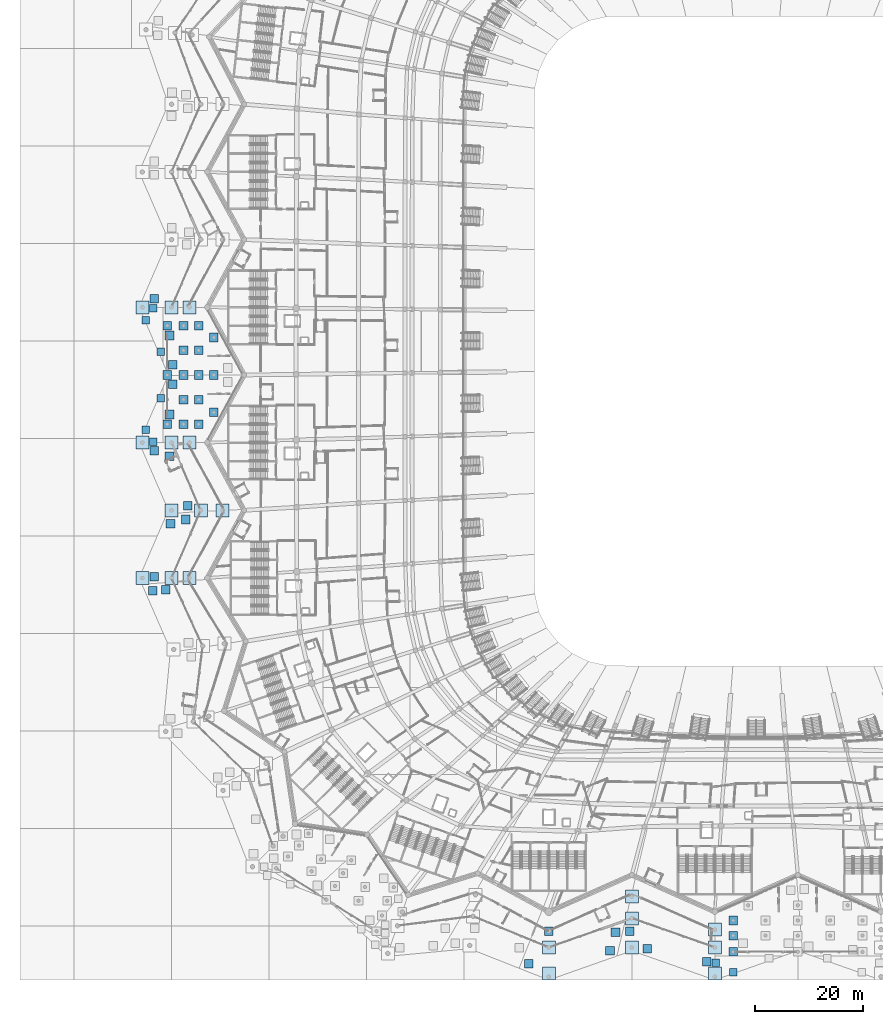
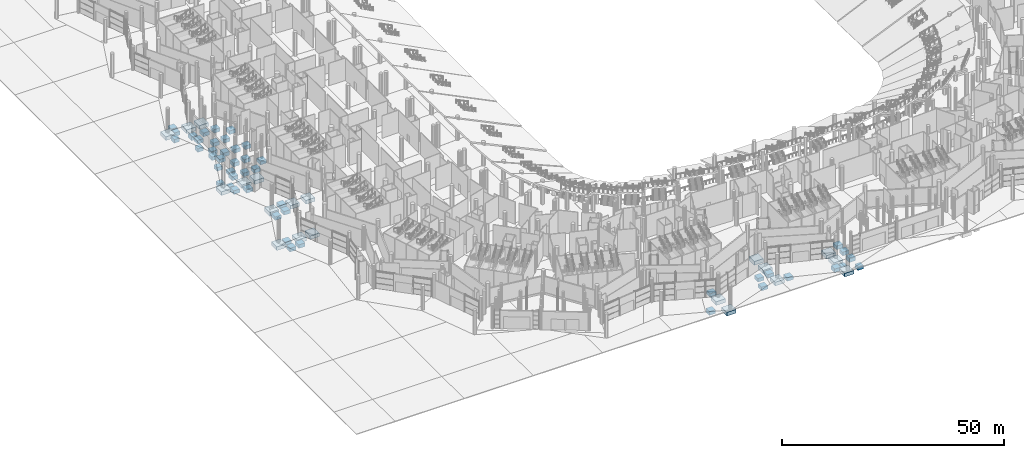
# One storey, part 2 of 255: 67 footings.
"""IFC4 building model written with IfcOpenShell, lengths in metres."""

from ifc_helpers import new_model, si_unit, direction, frame, origin, place, context, subcontext, project, spatial, polyline, outline, extrude, material, type_object, element, save


model = new_model("IFC4")

# Units and contexts
model_context = context("Model", 3, precision=1e-05, world=origin(), true_north=direction((0.0, 1.0)))
body_context = subcontext(model_context, "Body", "Model", "MODEL_VIEW")
ifc_project = project(units=[si_unit("LENGTHUNIT", "METRE"), si_unit("AREAUNIT", "SQUARE_METRE"), si_unit("VOLUMEUNIT", "CUBIC_METRE"), si_unit("PLANEANGLEUNIT", "RADIAN"), si_unit("MASSUNIT", "GRAM", prefix="KILO")], contexts=[model_context])

# Site, building, storey
site_placement = place(None, origin())
site = spatial("IfcSite", under=ifc_project, at=site_placement, CompositionType="ELEMENT")
building_placement = place(site_placement, origin())
building = spatial("IfcBuilding", under=site, at=building_placement, Name="Meseta Stadium", CompositionType="ELEMENT")
storey_placement = place(building_placement, origin())
storey = spatial("IfcBuildingStorey", under=building, at=storey_placement, Name="L00", CompositionType="ELEMENT", Elevation=0.0)

# Footings
ifc_material_1 = material(Name="Concrete C30/37", Category="concrete")
footing_type_1 = type_object("IfcFootingType", Name="Gate pad footing 1400", PredefinedType="PAD_FOOTING", material=ifc_material_1)
footing_1_placement = place(storey_placement, frame((0.0, 0.0, -1.300048828125)))
element("IfcFooting", 1, at=footing_1_placement, inside=storey, type_object=footing_type_1, Name="Paving pad footing", PredefinedType="PAD_FOOTING", context=body_context, shape_type="SweptSolid", body=[
    extrude(outline(polyline([(-109.300048828125, -11.25), (-109.300048828125, -9.85009765625), (-110.699951171875, -9.85009765625), (-110.699951171875, -11.25), (-109.300048828125, -11.25)])), origin(), (0.0, 0.0, 1.0), 1.0),
])
footing_2_placement = place(storey_placement, frame((0.0, 0.0, -1.300048828125)))
element("IfcFooting", 2, at=footing_2_placement, inside=storey, type_object=footing_type_1, Name="Paving pad footing", PredefinedType="PAD_FOOTING", context=body_context, shape_type="SweptSolid", body=[
    extrude(outline(polyline([(-110.699951171875, -19.25), (-110.699951171875, -17.85009765625), (-112.10009765625, -17.85009765625), (-112.10009765625, -19.25), (-110.699951171875, -19.25)])), origin(), (0.0, 0.0, 1.0), 1.0),
])
footing_3_placement = place(storey_placement, frame((0.0, 0.0, -1.300048828125)))
element("IfcFooting", 3, at=footing_3_placement, inside=storey, type_object=footing_type_1, Name="Paving pad footing", PredefinedType="PAD_FOOTING", context=body_context, shape_type="SweptSolid", body=[
    extrude(outline(polyline([(-112.10009765625, -17.050048828125), (-112.10009765625, -15.64990234375), (-113.5, -15.64990234375), (-113.5, -17.050048828125), (-112.10009765625, -17.050048828125)])), origin(), (0.0, 0.0, 1.0), 1.0),
])
footing_4_placement = place(storey_placement, frame((0.0, 0.0, -1.300048828125)))
element("IfcFooting", 4, at=footing_4_placement, inside=storey, type_object=footing_type_1, Name="Paving pad footing", PredefinedType="PAD_FOOTING", context=body_context, shape_type="SweptSolid", body=[
    extrude(outline(polyline([(-109.300048828125, -2.635009765625), (-109.300048828125, -1.235107421875), (-110.699951171875, -1.235107421875), (-110.699951171875, -2.635009765625), (-109.300048828125, -2.635009765625)])), origin(), (0.0, 0.0, 1.0), 1.0),
])
footing_5_placement = place(storey_placement, frame((0.0, 0.0, -1.300048828125)))
element("IfcFooting", 5, at=footing_5_placement, inside=storey, type_object=footing_type_1, Name="Paving pad footing", PredefinedType="PAD_FOOTING", context=body_context, shape_type="SweptSolid", body=[
    extrude(outline(polyline([(-110.699951171875, 5.364990234375), (-110.699951171875, 6.764892578125), (-112.10009765625, 6.764892578125), (-112.10009765625, 5.364990234375), (-110.699951171875, 5.364990234375)])), origin(), (0.0, 0.0, 1.0), 1.0),
])
footing_6_placement = place(storey_placement, frame((0.0, 0.0, -1.300048828125)))
element("IfcFooting", 6, at=footing_6_placement, inside=storey, type_object=footing_type_1, Name="Paving pad footing", PredefinedType="PAD_FOOTING", context=body_context, shape_type="SweptSolid", body=[
    extrude(outline(polyline([(-112.10009765625, 3.1650390625), (-112.10009765625, 4.56494140625), (-113.5, 4.56494140625), (-113.5, 3.1650390625), (-112.10009765625, 3.1650390625)])), origin(), (0.0, 0.0, 1.0), 1.0),
])
footing_7_placement = place(storey_placement, frame((0.0, 0.0, -1.300048828125)))
element("IfcFooting", 7, at=footing_7_placement, inside=storey, type_object=footing_type_1, Name="Paving pad footing", PredefinedType="PAD_FOOTING", context=body_context, shape_type="SweptSolid", body=[
    extrude(outline(polyline([(-6.76708984375, -115.5), (-6.76708984375, -114.10009765625), (-8.1669921875, -114.10009765625), (-8.1669921875, -115.5), (-6.76708984375, -115.5)])), origin(), (0.0, 0.0, 1.0), 1.0),
])
footing_8_placement = place(storey_placement, frame((0.0, 0.0, -1.300048828125)))
element("IfcFooting", 8, at=footing_8_placement, inside=storey, type_object=footing_type_1, Name="Paving pad footing", PredefinedType="PAD_FOOTING", context=body_context, shape_type="SweptSolid", body=[
    extrude(outline(polyline([(-3.56689453125, -117.300048828125), (-3.56689453125, -115.89990234375), (-4.967041015625, -115.89990234375), (-4.967041015625, -117.300048828125), (-3.56689453125, -117.300048828125)])), origin(), (0.0, 0.0, 1.0), 1.0),
])
ifc_material_2 = material(Name="Concrete C30/37", Category="concrete")
footing_type_2 = type_object("IfcFootingType", Name="Gate pad footing 1600", PredefinedType="PAD_FOOTING", material=ifc_material_2)
footing_9_placement = place(storey_placement, frame((0.0, 0.0, -1.300048828125)))
element("IfcFooting", 9, at=footing_9_placement, inside=storey, type_object=footing_type_2, Name="Gate 5 pad footing", PredefinedType="PAD_FOOTING", context=body_context, shape_type="SweptSolid", body=[
    extrude(outline(polyline([(-99.39990234375, -0.132568359375), (-99.39990234375, 1.46728515625), (-101.0, 1.46728515625), (-101.0, -0.132568359375), (-99.39990234375, -0.132568359375)])), origin(), (0.0, 0.0, 1.0), 1.0),
])
footing_10_placement = place(storey_placement, frame((0.0, 0.0, -1.300048828125)))
element("IfcFooting", 10, at=footing_10_placement, inside=storey, type_object=footing_type_2, Name="Gate 5 pad footing", PredefinedType="PAD_FOOTING", context=body_context, shape_type="SweptSolid", body=[
    extrude(outline(polyline([(-99.39990234375, -7.050048828125), (-99.39990234375, -5.449951171875), (-101.0, -5.449951171875), (-101.0, -7.050048828125), (-99.39990234375, -7.050048828125)])), origin(), (0.0, 0.0, 1.0), 1.0),
])
footing_11_placement = place(storey_placement, frame((0.0, 0.0, -1.300048828125)))
element("IfcFooting", 11, at=footing_11_placement, inside=storey, type_object=footing_type_2, Name="Gate 5 pad footing", PredefinedType="PAD_FOOTING", context=body_context, shape_type="SweptSolid", body=[
    extrude(outline(polyline([(-99.39990234375, -13.96728515625), (-99.39990234375, -12.367431640625), (-101.0, -12.367431640625), (-101.0, -13.96728515625), (-99.39990234375, -13.96728515625)])), origin(), (0.0, 0.0, 1.0), 1.0),
])
footing_12_placement = place(storey_placement, frame((0.0, 0.0, -1.300048828125)))
element("IfcFooting", 12, at=footing_12_placement, inside=storey, type_object=footing_type_2, Name="Gate 5 pad footing", PredefinedType="PAD_FOOTING", context=body_context, shape_type="SweptSolid", body=[
    extrude(outline(polyline([(-102.199951171875, 2.050048828125), (-102.199951171875, 3.64990234375), (-103.800048828125, 3.64990234375), (-103.800048828125, 2.050048828125), (-102.199951171875, 2.050048828125)])), origin(), (0.0, 0.0, 1.0), 1.0),
])
footing_13_placement = place(storey_placement, frame((0.0, 0.0, -1.300048828125)))
element("IfcFooting", 13, at=footing_13_placement, inside=storey, type_object=footing_type_2, Name="Gate 5 pad footing", PredefinedType="PAD_FOOTING", context=body_context, shape_type="SweptSolid", body=[
    extrude(outline(polyline([(-102.199951171875, -2.5), (-102.199951171875, -0.89990234375), (-103.800048828125, -0.89990234375), (-103.800048828125, -2.5), (-102.199951171875, -2.5)])), origin(), (0.0, 0.0, 1.0), 1.0),
])
footing_14_placement = place(storey_placement, frame((0.0, 0.0, -1.300048828125)))
element("IfcFooting", 14, at=footing_14_placement, inside=storey, type_object=footing_type_2, Name="Gate 5 pad footing", PredefinedType="PAD_FOOTING", context=body_context, shape_type="SweptSolid", body=[
    extrude(outline(polyline([(-102.199951171875, -7.050048828125), (-102.199951171875, -5.449951171875), (-103.800048828125, -5.449951171875), (-103.800048828125, -7.050048828125), (-102.199951171875, -7.050048828125)])), origin(), (0.0, 0.0, 1.0), 1.0),
])
footing_15_placement = place(storey_placement, frame((0.0, 0.0, -1.300048828125)))
element("IfcFooting", 15, at=footing_15_placement, inside=storey, type_object=footing_type_2, Name="Gate 5 pad footing", PredefinedType="PAD_FOOTING", context=body_context, shape_type="SweptSolid", body=[
    extrude(outline(polyline([(-102.199951171875, -11.60009765625), (-102.199951171875, -10.0), (-103.800048828125, -10.0), (-103.800048828125, -11.60009765625), (-102.199951171875, -11.60009765625)])), origin(), (0.0, 0.0, 1.0), 1.0),
])
footing_16_placement = place(storey_placement, frame((0.0, 0.0, -1.300048828125)))
element("IfcFooting", 16, at=footing_16_placement, inside=storey, type_object=footing_type_2, Name="Gate 5 pad footing", PredefinedType="PAD_FOOTING", context=body_context, shape_type="SweptSolid", body=[
    extrude(outline(polyline([(-102.199951171875, -16.14990234375), (-102.199951171875, -14.550048828125), (-103.800048828125, -14.550048828125), (-103.800048828125, -16.14990234375), (-102.199951171875, -16.14990234375)])), origin(), (0.0, 0.0, 1.0), 1.0),
])
footing_17_placement = place(storey_placement, frame((0.0, 0.0, -1.300048828125)))
element("IfcFooting", 17, at=footing_17_placement, inside=storey, type_object=footing_type_2, Name="Gate 5 pad footing", PredefinedType="PAD_FOOTING", context=body_context, shape_type="SweptSolid", body=[
    extrude(outline(polyline([(-105.0, 2.050048828125), (-105.0, 3.64990234375), (-106.60009765625, 3.64990234375), (-106.60009765625, 2.050048828125), (-105.0, 2.050048828125)])), origin(), (0.0, 0.0, 1.0), 1.0),
])
footing_18_placement = place(storey_placement, frame((0.0, 0.0, -1.300048828125)))
element("IfcFooting", 18, at=footing_18_placement, inside=storey, type_object=footing_type_2, Name="Gate 5 pad footing", PredefinedType="PAD_FOOTING", context=body_context, shape_type="SweptSolid", body=[
    extrude(outline(polyline([(-105.0, -2.5), (-105.0, -0.89990234375), (-106.60009765625, -0.89990234375), (-106.60009765625, -2.5), (-105.0, -2.5)])), origin(), (0.0, 0.0, 1.0), 1.0),
])
footing_19_placement = place(storey_placement, frame((0.0, 0.0, -1.300048828125)))
element("IfcFooting", 19, at=footing_19_placement, inside=storey, type_object=footing_type_2, Name="Gate 5 pad footing", PredefinedType="PAD_FOOTING", context=body_context, shape_type="SweptSolid", body=[
    extrude(outline(polyline([(-105.0, -7.050048828125), (-105.0, -5.449951171875), (-106.60009765625, -5.449951171875), (-106.60009765625, -7.050048828125), (-105.0, -7.050048828125)])), origin(), (0.0, 0.0, 1.0), 1.0),
])
footing_20_placement = place(storey_placement, frame((0.0, 0.0, -1.300048828125)))
element("IfcFooting", 20, at=footing_20_placement, inside=storey, type_object=footing_type_2, Name="Gate 5 pad footing", PredefinedType="PAD_FOOTING", context=body_context, shape_type="SweptSolid", body=[
    extrude(outline(polyline([(-105.0, -11.60009765625), (-105.0, -10.0), (-106.60009765625, -10.0), (-106.60009765625, -11.60009765625), (-105.0, -11.60009765625)])), origin(), (0.0, 0.0, 1.0), 1.0),
])
footing_21_placement = place(storey_placement, frame((0.0, 0.0, -1.300048828125)))
element("IfcFooting", 21, at=footing_21_placement, inside=storey, type_object=footing_type_2, Name="Gate 5 pad footing", PredefinedType="PAD_FOOTING", context=body_context, shape_type="SweptSolid", body=[
    extrude(outline(polyline([(-105.0, -16.14990234375), (-105.0, -14.550048828125), (-106.60009765625, -14.550048828125), (-106.60009765625, -16.14990234375), (-105.0, -16.14990234375)])), origin(), (0.0, 0.0, 1.0), 1.0),
])
footing_22_placement = place(storey_placement, frame((0.0, 0.0, -1.300048828125)))
element("IfcFooting", 22, at=footing_22_placement, inside=storey, type_object=footing_type_2, Name="Gate 5 pad footing", PredefinedType="PAD_FOOTING", context=body_context, shape_type="SweptSolid", body=[
    extrude(outline(polyline([(-108.0, 2.050048828125), (-108.0, 3.64990234375), (-109.60009765625, 3.64990234375), (-109.60009765625, 2.050048828125), (-108.0, 2.050048828125)])), origin(), (0.0, 0.0, 1.0), 1.0),
])
footing_23_placement = place(storey_placement, frame((0.0, 0.0, -1.300048828125)))
element("IfcFooting", 23, at=footing_23_placement, inside=storey, type_object=footing_type_2, Name="Gate 5 pad footing", PredefinedType="PAD_FOOTING", context=body_context, shape_type="SweptSolid", body=[
    extrude(outline(polyline([(-108.0, -7.050048828125), (-108.0, -5.449951171875), (-109.60009765625, -5.449951171875), (-109.60009765625, -7.050048828125), (-108.0, -7.050048828125)])), origin(), (0.0, 0.0, 1.0), 1.0),
])
footing_24_placement = place(storey_placement, frame((0.0, 0.0, -1.300048828125)))
element("IfcFooting", 24, at=footing_24_placement, inside=storey, type_object=footing_type_2, Name="Gate 5 pad footing", PredefinedType="PAD_FOOTING", context=body_context, shape_type="SweptSolid", body=[
    extrude(outline(polyline([(-108.0, -16.14990234375), (-108.0, -14.550048828125), (-109.60009765625, -14.550048828125), (-109.60009765625, -16.14990234375), (-108.0, -16.14990234375)])), origin(), (0.0, 0.0, 1.0), 1.0),
])
footing_25_placement = place(storey_placement, frame((0.0, 0.0, -1.300048828125)))
element("IfcFooting", 25, at=footing_25_placement, inside=storey, type_object=footing_type_2, Name="Gate 7 pad footing", PredefinedType="PAD_FOOTING", context=body_context, shape_type="SweptSolid", body=[
    extrude(outline(polyline([(-3.466796875, -107.800048828125), (-3.466796875, -106.199951171875), (-5.066650390625, -106.199951171875), (-5.066650390625, -107.800048828125), (-3.466796875, -107.800048828125)])), origin(), (0.0, 0.0, 1.0), 1.0),
])
footing_26_placement = place(storey_placement, frame((0.0, 0.0, -1.300048828125)))
element("IfcFooting", 26, at=footing_26_placement, inside=storey, type_object=footing_type_2, Name="Gate 7 pad footing", PredefinedType="PAD_FOOTING", context=body_context, shape_type="SweptSolid", body=[
    extrude(outline(polyline([(-3.466796875, -110.60009765625), (-3.466796875, -109.0), (-5.066650390625, -109.0), (-5.066650390625, -110.60009765625), (-3.466796875, -110.60009765625)])), origin(), (0.0, 0.0, 1.0), 1.0),
])
footing_27_placement = place(storey_placement, frame((0.0, 0.0, -1.300048828125)))
element("IfcFooting", 27, at=footing_27_placement, inside=storey, type_object=footing_type_2, Name="Gate 7 pad footing", PredefinedType="PAD_FOOTING", context=body_context, shape_type="SweptSolid", body=[
    extrude(outline(polyline([(-3.466796875, -113.60009765625), (-3.466796875, -112.0), (-5.066650390625, -112.0), (-5.066650390625, -113.60009765625), (-3.466796875, -113.60009765625)])), origin(), (0.0, 0.0, 1.0), 1.0),
])
ifc_material_3 = material(Name="Concrete C30/37", Category="concrete")
footing_type_3 = type_object("IfcFootingType", Name="Ring pad footing 1600", PredefinedType="PAD_FOOTING", material=ifc_material_3)
footing_28_placement = place(storey_placement, frame((0.0, 0.0, -1.300048828125)))
element("IfcFooting", 28, at=footing_28_placement, inside=storey, type_object=footing_type_3, Name="Ring pad footing F44M", PredefinedType="PAD_FOOTING", context=body_context, shape_type="SweptSolid", body=[
    extrude(outline(polyline([(-37.533203125, -109.800048828125), (-37.533203125, -108.199951171875), (-39.13330078125, -108.199951171875), (-39.13330078125, -109.800048828125), (-37.533203125, -109.800048828125)])), origin(), (0.0, 0.0, 1.0), 1.0),
])
footing_29_placement = place(storey_placement, frame((0.0, 0.0, -1.300048828125)))
element("IfcFooting", 29, at=footing_29_placement, inside=storey, type_object=footing_type_3, Name="Paving pad footing", PredefinedType="PAD_FOOTING", context=body_context, shape_type="SweptSolid", body=[
    extrude(outline(polyline([(-107.60009765625, 0.235107421875), (-107.60009765625, 1.8349609375), (-109.199951171875, 1.8349609375), (-109.199951171875, 0.235107421875), (-107.60009765625, 0.235107421875)])), origin(), (0.0, 0.0, 1.0), 1.0),
])
footing_30_placement = place(storey_placement, frame((0.0, 0.0, -1.300048828125)))
element("IfcFooting", 30, at=footing_30_placement, inside=storey, type_object=footing_type_3, Name="Paving pad footing", PredefinedType="PAD_FOOTING", context=body_context, shape_type="SweptSolid", body=[
    extrude(outline(polyline([(-107.0, -5.1650390625), (-107.0, -3.56494140625), (-108.60009765625, -3.56494140625), (-108.60009765625, -5.1650390625), (-107.0, -5.1650390625)])), origin(), (0.0, 0.0, 1.0), 1.0),
])
footing_31_placement = place(storey_placement, frame((0.0, 0.0, -1.300048828125)))
element("IfcFooting", 31, at=footing_31_placement, inside=storey, type_object=footing_type_3, Name="Paving pad footing", PredefinedType="PAD_FOOTING", context=body_context, shape_type="SweptSolid", body=[
    extrude(outline(polyline([(-107.60009765625, -14.35009765625), (-107.60009765625, -12.75), (-109.199951171875, -12.75), (-109.199951171875, -14.35009765625), (-107.60009765625, -14.35009765625)])), origin(), (0.0, 0.0, 1.0), 1.0),
])
footing_32_placement = place(storey_placement, frame((0.0, 0.0, -1.300048828125)))
element("IfcFooting", 32, at=footing_32_placement, inside=storey, type_object=footing_type_3, Name="Paving pad footing", PredefinedType="PAD_FOOTING", context=body_context, shape_type="SweptSolid", body=[
    extrude(outline(polyline([(-107.0, -8.75), (-107.0, -7.14990234375), (-108.60009765625, -7.14990234375), (-108.60009765625, -8.75), (-107.0, -8.75)])), origin(), (0.0, 0.0, 1.0), 1.0),
])
footing_33_placement = place(storey_placement, frame((0.0, 0.0, -1.300048828125)))
element("IfcFooting", 33, at=footing_33_placement, inside=storey, type_object=footing_type_3, Name="Paving pad footing", PredefinedType="PAD_FOOTING", context=body_context, shape_type="SweptSolid", body=[
    extrude(outline(polyline([(-110.39990234375, 7.050048828125), (-110.39990234375, 8.64990234375), (-112.0, 8.64990234375), (-112.0, 7.050048828125), (-110.39990234375, 7.050048828125)])), origin(), (0.0, 0.0, 1.0), 1.0),
])
footing_34_placement = place(storey_placement, frame((0.0, 0.0, -1.300048828125)))
element("IfcFooting", 34, at=footing_34_placement, inside=storey, type_object=footing_type_3, Name="Paving pad footing", PredefinedType="PAD_FOOTING", context=body_context, shape_type="SweptSolid", body=[
    extrude(outline(polyline([(-104.199951171875, -31.235107421875), (-104.199951171875, -29.635009765625), (-105.800048828125, -29.635009765625), (-105.800048828125, -31.235107421875), (-104.199951171875, -31.235107421875)])), origin(), (0.0, 0.0, 1.0), 1.0),
])
footing_35_placement = place(storey_placement, frame((0.0, 0.0, -1.300048828125)))
element("IfcFooting", 35, at=footing_35_placement, inside=storey, type_object=footing_type_3, Name="Paving pad footing", PredefinedType="PAD_FOOTING", context=body_context, shape_type="SweptSolid", body=[
    extrude(outline(polyline([(-110.39990234375, -21.034912109375), (-110.39990234375, -19.43505859375), (-112.0, -19.43505859375), (-112.0, -21.034912109375), (-110.39990234375, -21.034912109375)])), origin(), (0.0, 0.0, 1.0), 1.0),
])
footing_36_placement = place(storey_placement, frame((0.0, 0.0, -1.300048828125)))
element("IfcFooting", 36, at=footing_36_placement, inside=storey, type_object=footing_type_3, Name="Paving pad footing", PredefinedType="PAD_FOOTING", context=body_context, shape_type="SweptSolid", body=[
    extrude(outline(polyline([(-107.60009765625, -22.034912109375), (-107.60009765625, -20.43505859375), (-109.199951171875, -20.43505859375), (-109.199951171875, -22.034912109375), (-107.60009765625, -22.034912109375)])), origin(), (0.0, 0.0, 1.0), 1.0),
])
footing_37_placement = place(storey_placement, frame((0.0, 0.0, -1.300048828125)))
element("IfcFooting", 37, at=footing_37_placement, inside=storey, type_object=footing_type_3, Name="Paving pad footing", PredefinedType="PAD_FOOTING", context=body_context, shape_type="SweptSolid", body=[
    extrude(outline(polyline([(-104.60009765625, -33.738037109375), (-104.60009765625, -32.137939453125), (-106.199951171875, -32.137939453125), (-106.199951171875, -33.738037109375), (-104.60009765625, -33.738037109375)])), origin(), (0.0, 0.0, 1.0), 1.0),
])
footing_38_placement = place(storey_placement, frame((0.0, 0.0, -1.300048828125)))
element("IfcFooting", 38, at=footing_38_placement, inside=storey, type_object=footing_type_3, Name="Paving pad footing", PredefinedType="PAD_FOOTING", context=body_context, shape_type="SweptSolid", body=[
    extrude(outline(polyline([(-110.39990234375, -44.337890625), (-110.39990234375, -42.738037109375), (-112.0, -42.738037109375), (-112.0, -44.337890625), (-110.39990234375, -44.337890625)])), origin(), (0.0, 0.0, 1.0), 1.0),
])
footing_39_placement = place(storey_placement, frame((0.0, 0.0, -1.300048828125)))
element("IfcFooting", 39, at=footing_39_placement, inside=storey, type_object=footing_type_3, Name="Paving pad footing", PredefinedType="PAD_FOOTING", context=body_context, shape_type="SweptSolid", body=[
    extrude(outline(polyline([(-107.39990234375, -34.5380859375), (-107.39990234375, -32.93798828125), (-109.0, -32.93798828125), (-109.0, -34.5380859375), (-107.39990234375, -34.5380859375)])), origin(), (0.0, 0.0, 1.0), 1.0),
])
footing_40_placement = place(storey_placement, frame((0.0, 0.0, -1.300048828125)))
element("IfcFooting", 40, at=footing_40_placement, inside=storey, type_object=footing_type_3, Name="Paving pad footing", PredefinedType="PAD_FOOTING", context=body_context, shape_type="SweptSolid", body=[
    extrude(outline(polyline([(-110.680908203125, -46.926025390625), (-110.680908203125, -45.325927734375), (-112.281005859375, -45.325927734375), (-112.281005859375, -46.926025390625), (-110.680908203125, -46.926025390625)])), origin(), (0.0, 0.0, 1.0), 1.0),
])
footing_41_placement = place(storey_placement, frame((0.0, 0.0, -1.300048828125)))
element("IfcFooting", 41, at=footing_41_placement, inside=storey, type_object=footing_type_3, Name="Paving pad footing", PredefinedType="PAD_FOOTING", context=body_context, shape_type="SweptSolid", body=[
    extrude(outline(polyline([(-108.281005859375, -46.72607421875), (-108.281005859375, -45.1259765625), (-109.881103515625, -45.1259765625), (-109.881103515625, -46.72607421875), (-108.281005859375, -46.72607421875)])), origin(), (0.0, 0.0, 1.0), 1.0),
])
footing_42_placement = place(storey_placement, frame((0.0, 0.0, -1.300048828125)))
element("IfcFooting", 42, at=footing_42_placement, inside=storey, type_object=footing_type_3, Name="Paving pad footing", PredefinedType="PAD_FOOTING", context=body_context, shape_type="SweptSolid", body=[
    extrude(outline(polyline([(-25.222900390625, -110.0), (-25.222900390625, -108.39990234375), (-26.822998046875, -108.39990234375), (-26.822998046875, -110.0), (-25.222900390625, -110.0)])), origin(), (0.0, 0.0, 1.0), 1.0),
])
footing_43_placement = place(storey_placement, frame((0.0, 0.0, -1.300048828125)))
element("IfcFooting", 43, at=footing_43_placement, inside=storey, type_object=footing_type_3, Name="Paving pad footing", PredefinedType="PAD_FOOTING", context=body_context, shape_type="SweptSolid", body=[
    extrude(outline(polyline([(-41.222900390625, -115.800048828125), (-41.222900390625, -114.199951171875), (-42.822998046875, -114.199951171875), (-42.822998046875, -115.800048828125), (-41.222900390625, -115.800048828125)])), origin(), (0.0, 0.0, 1.0), 1.0),
])
footing_44_placement = place(storey_placement, frame((0.0, 0.0, -1.300048828125)))
element("IfcFooting", 44, at=footing_44_placement, inside=storey, type_object=footing_type_3, Name="Paving pad footing", PredefinedType="PAD_FOOTING", context=body_context, shape_type="SweptSolid", body=[
    extrude(outline(polyline([(-26.222900390625, -113.39990234375), (-26.222900390625, -111.800048828125), (-27.822998046875, -111.800048828125), (-27.822998046875, -113.39990234375), (-26.222900390625, -113.39990234375)])), origin(), (0.0, 0.0, 1.0), 1.0),
])
footing_45_placement = place(storey_placement, frame((0.0, 0.0, -1.300048828125)))
element("IfcFooting", 45, at=footing_45_placement, inside=storey, type_object=footing_type_3, Name="Paving pad footing", PredefinedType="PAD_FOOTING", context=body_context, shape_type="SweptSolid", body=[
    extrude(outline(polyline([(-22.554931640625, -109.800048828125), (-22.554931640625, -108.199951171875), (-24.155029296875, -108.199951171875), (-24.155029296875, -109.800048828125), (-22.554931640625, -109.800048828125)])), origin(), (0.0, 0.0, 1.0), 1.0),
])
footing_46_placement = place(storey_placement, frame((0.0, 0.0, -1.300048828125)))
element("IfcFooting", 46, at=footing_46_placement, inside=storey, type_object=footing_type_3, Name="Paving pad footing", PredefinedType="PAD_FOOTING", context=body_context, shape_type="SweptSolid", body=[
    extrude(outline(polyline([(-8.35498046875, -115.39990234375), (-8.35498046875, -113.800048828125), (-9.955078125, -113.800048828125), (-9.955078125, -115.39990234375), (-8.35498046875, -115.39990234375)])), origin(), (0.0, 0.0, 1.0), 1.0),
])
footing_47_placement = place(storey_placement, frame((0.0, 0.0, -1.300048828125)))
element("IfcFooting", 47, at=footing_47_placement, inside=storey, type_object=footing_type_3, Name="Paving pad footing", PredefinedType="PAD_FOOTING", context=body_context, shape_type="SweptSolid", body=[
    extrude(outline(polyline([(-19.35498046875, -113.0), (-19.35498046875, -111.39990234375), (-20.955078125, -111.39990234375), (-20.955078125, -113.0), (-19.35498046875, -113.0)])), origin(), (0.0, 0.0, 1.0), 1.0),
])
ifc_material_4 = material(Name="Concrete C30/37", Category="concrete")
footing_type_4 = type_object("IfcFootingType", Name="Ring pad footing 2400", PredefinedType="PAD_FOOTING", material=ifc_material_4)
footing_48_placement = place(storey_placement, frame((0.0, 0.0, -1.300048828125)))
element("IfcFooting", 48, at=footing_48_placement, inside=storey, type_object=footing_type_4, Name="Ring pad footing F32M", PredefinedType="PAD_FOOTING", context=body_context, shape_type="SweptSolid", body=[
    extrude(outline(polyline([(-103.5, 5.050048828125), (-103.5, 7.449951171875), (-105.89990234375, 7.449951171875), (-105.89990234375, 5.050048828125), (-103.5, 5.050048828125)])), origin(), (0.0, 0.0, 1.0), 1.0),
])
footing_49_placement = place(storey_placement, frame((0.0, 0.0, -1.300048828125)))
element("IfcFooting", 49, at=footing_49_placement, inside=storey, type_object=footing_type_4, Name="Ring pad footing F32Q", PredefinedType="PAD_FOOTING", context=body_context, shape_type="SweptSolid", body=[
    extrude(outline(polyline([(-106.800048828125, 5.050048828125), (-106.800048828125, 7.449951171875), (-109.199951171875, 7.449951171875), (-109.199951171875, 5.050048828125), (-106.800048828125, 5.050048828125)])), origin(), (0.0, 0.0, 1.0), 1.0),
])
footing_50_placement = place(storey_placement, frame((0.0, 0.0, -1.300048828125)))
element("IfcFooting", 50, at=footing_50_placement, inside=storey, type_object=footing_type_4, Name="Ring pad footing F32O", PredefinedType="PAD_FOOTING", context=body_context, shape_type="SweptSolid", body=[
    extrude(outline(polyline([(-112.199951171875, 5.050048828125), (-112.199951171875, 7.449951171875), (-114.60009765625, 7.449951171875), (-114.60009765625, 5.050048828125), (-112.199951171875, 5.050048828125)])), origin(), (0.0, 0.0, 1.0), 1.0),
])
footing_51_placement = place(storey_placement, frame((0.0, 0.0, -1.300048828125)))
element("IfcFooting", 51, at=footing_51_placement, inside=storey, type_object=footing_type_4, Name="Ring pad footing F34M", PredefinedType="PAD_FOOTING", context=body_context, shape_type="SweptSolid", body=[
    extrude(outline(polyline([(-103.5, -19.949951171875), (-103.5, -17.550048828125), (-105.89990234375, -17.550048828125), (-105.89990234375, -19.949951171875), (-103.5, -19.949951171875)])), origin(), (0.0, 0.0, 1.0), 1.0),
])
footing_52_placement = place(storey_placement, frame((0.0, 0.0, -1.300048828125)))
element("IfcFooting", 52, at=footing_52_placement, inside=storey, type_object=footing_type_4, Name="Ring pad footing F34Q", PredefinedType="PAD_FOOTING", context=body_context, shape_type="SweptSolid", body=[
    extrude(outline(polyline([(-106.800048828125, -19.949951171875), (-106.800048828125, -17.550048828125), (-109.199951171875, -17.550048828125), (-109.199951171875, -19.949951171875), (-106.800048828125, -19.949951171875)])), origin(), (0.0, 0.0, 1.0), 1.0),
])
footing_53_placement = place(storey_placement, frame((0.0, 0.0, -1.300048828125)))
element("IfcFooting", 53, at=footing_53_placement, inside=storey, type_object=footing_type_4, Name="Ring pad footing F34O", PredefinedType="PAD_FOOTING", context=body_context, shape_type="SweptSolid", body=[
    extrude(outline(polyline([(-112.199951171875, -19.949951171875), (-112.199951171875, -17.550048828125), (-114.60009765625, -17.550048828125), (-114.60009765625, -19.949951171875), (-112.199951171875, -19.949951171875)])), origin(), (0.0, 0.0, 1.0), 1.0),
])
footing_54_placement = place(storey_placement, frame((0.0, 0.0, -1.300048828125)))
element("IfcFooting", 54, at=footing_54_placement, inside=storey, type_object=footing_type_4, Name="Ring pad footing F35M", PredefinedType="PAD_FOOTING", context=body_context, shape_type="SweptSolid", body=[
    extrude(outline(polyline([(-97.39990234375, -32.449951171875), (-97.39990234375, -30.050048828125), (-99.800048828125, -30.050048828125), (-99.800048828125, -32.449951171875), (-97.39990234375, -32.449951171875)])), origin(), (0.0, 0.0, 1.0), 1.0),
])
footing_55_placement = place(storey_placement, frame((0.0, 0.0, -1.300048828125)))
element("IfcFooting", 55, at=footing_55_placement, inside=storey, type_object=footing_type_4, Name="Ring pad footing F35Q", PredefinedType="PAD_FOOTING", context=body_context, shape_type="SweptSolid", body=[
    extrude(outline(polyline([(-101.39990234375, -32.449951171875), (-101.39990234375, -30.050048828125), (-103.800048828125, -30.050048828125), (-103.800048828125, -32.449951171875), (-101.39990234375, -32.449951171875)])), origin(), (0.0, 0.0, 1.0), 1.0),
])
footing_56_placement = place(storey_placement, frame((0.0, 0.0, -1.300048828125)))
element("IfcFooting", 56, at=footing_56_placement, inside=storey, type_object=footing_type_4, Name="Ring pad footing F35O", PredefinedType="PAD_FOOTING", context=body_context, shape_type="SweptSolid", body=[
    extrude(outline(polyline([(-106.800048828125, -32.449951171875), (-106.800048828125, -30.050048828125), (-109.199951171875, -30.050048828125), (-109.199951171875, -32.449951171875), (-106.800048828125, -32.449951171875)])), origin(), (0.0, 0.0, 1.0), 1.0),
])
footing_57_placement = place(storey_placement, frame((0.0, 0.0, -1.300048828125)))
element("IfcFooting", 57, at=footing_57_placement, inside=storey, type_object=footing_type_4, Name="Ring pad footing F36M", PredefinedType="PAD_FOOTING", context=body_context, shape_type="SweptSolid", body=[
    extrude(outline(polyline([(-103.5, -44.949951171875), (-103.5, -42.550048828125), (-105.89990234375, -42.550048828125), (-105.89990234375, -44.949951171875), (-103.5, -44.949951171875)])), origin(), (0.0, 0.0, 1.0), 1.0),
])
footing_58_placement = place(storey_placement, frame((0.0, 0.0, -1.300048828125)))
element("IfcFooting", 58, at=footing_58_placement, inside=storey, type_object=footing_type_4, Name="Ring pad footing F36Q", PredefinedType="PAD_FOOTING", context=body_context, shape_type="SweptSolid", body=[
    extrude(outline(polyline([(-106.800048828125, -44.949951171875), (-106.800048828125, -42.550048828125), (-109.199951171875, -42.550048828125), (-109.199951171875, -44.949951171875), (-106.800048828125, -44.949951171875)])), origin(), (0.0, 0.0, 1.0), 1.0),
])
footing_59_placement = place(storey_placement, frame((0.0, 0.0, -1.300048828125)))
element("IfcFooting", 59, at=footing_59_placement, inside=storey, type_object=footing_type_4, Name="Ring pad footing F36O", PredefinedType="PAD_FOOTING", context=body_context, shape_type="SweptSolid", body=[
    extrude(outline(polyline([(-112.199951171875, -44.949951171875), (-112.199951171875, -42.550048828125), (-114.60009765625, -42.550048828125), (-114.60009765625, -44.949951171875), (-112.199951171875, -44.949951171875)])), origin(), (0.0, 0.0, 1.0), 1.0),
])
footing_60_placement = place(storey_placement, frame((0.0, 0.0, -1.300048828125)))
element("IfcFooting", 60, at=footing_60_placement, inside=storey, type_object=footing_type_4, Name="Ring pad footing F44Q", PredefinedType="PAD_FOOTING", context=body_context, shape_type="SweptSolid", body=[
    extrude(outline(polyline([(-37.13330078125, -113.199951171875), (-37.13330078125, -110.800048828125), (-39.533203125, -110.800048828125), (-39.533203125, -113.199951171875), (-37.13330078125, -113.199951171875)])), origin(), (0.0, 0.0, 1.0), 1.0),
])
footing_61_placement = place(storey_placement, frame((0.0, 0.0, -1.300048828125)))
element("IfcFooting", 61, at=footing_61_placement, inside=storey, type_object=footing_type_4, Name="Ring pad footing F44O", PredefinedType="PAD_FOOTING", context=body_context, shape_type="SweptSolid", body=[
    extrude(outline(polyline([(-37.13330078125, -118.0), (-37.13330078125, -115.60009765625), (-39.533203125, -115.60009765625), (-39.533203125, -118.0), (-37.13330078125, -118.0)])), origin(), (0.0, 0.0, 1.0), 1.0),
])
footing_62_placement = place(storey_placement, frame((0.0, 0.0, -1.300048828125)))
element("IfcFooting", 62, at=footing_62_placement, inside=storey, type_object=footing_type_4, Name="Ring pad footing F45M", PredefinedType="PAD_FOOTING", context=body_context, shape_type="SweptSolid", body=[
    extrude(outline(polyline([(-21.800048828125, -103.800048828125), (-21.800048828125, -101.39990234375), (-24.199951171875, -101.39990234375), (-24.199951171875, -103.800048828125), (-21.800048828125, -103.800048828125)])), origin(), (0.0, 0.0, 1.0), 1.0),
])
footing_63_placement = place(storey_placement, frame((0.0, 0.0, -1.300048828125)))
element("IfcFooting", 63, at=footing_63_placement, inside=storey, type_object=footing_type_4, Name="Ring pad footing F45Q", PredefinedType="PAD_FOOTING", context=body_context, shape_type="SweptSolid", body=[
    extrude(outline(polyline([(-21.800048828125, -107.800048828125), (-21.800048828125, -105.39990234375), (-24.199951171875, -105.39990234375), (-24.199951171875, -107.800048828125), (-21.800048828125, -107.800048828125)])), origin(), (0.0, 0.0, 1.0), 1.0),
])
footing_64_placement = place(storey_placement, frame((0.0, 0.0, -1.300048828125)))
element("IfcFooting", 64, at=footing_64_placement, inside=storey, type_object=footing_type_4, Name="Ring pad footing F45O", PredefinedType="PAD_FOOTING", context=body_context, shape_type="SweptSolid", body=[
    extrude(outline(polyline([(-21.800048828125, -113.199951171875), (-21.800048828125, -110.800048828125), (-24.199951171875, -110.800048828125), (-24.199951171875, -113.199951171875), (-21.800048828125, -113.199951171875)])), origin(), (0.0, 0.0, 1.0), 1.0),
])
footing_65_placement = place(storey_placement, frame((0.0, 0.0, -1.300048828125)))
element("IfcFooting", 65, at=footing_65_placement, inside=storey, type_object=footing_type_4, Name="Ring pad footing F46M", PredefinedType="PAD_FOOTING", context=body_context, shape_type="SweptSolid", body=[
    extrude(outline(polyline([(-6.466796875, -109.89990234375), (-6.466796875, -107.5), (-8.86669921875, -107.5), (-8.86669921875, -109.89990234375), (-6.466796875, -109.89990234375)])), origin(), (0.0, 0.0, 1.0), 1.0),
])
footing_66_placement = place(storey_placement, frame((0.0, 0.0, -1.300048828125)))
element("IfcFooting", 66, at=footing_66_placement, inside=storey, type_object=footing_type_4, Name="Ring pad footing F46Q", PredefinedType="PAD_FOOTING", context=body_context, shape_type="SweptSolid", body=[
    extrude(outline(polyline([(-6.466796875, -113.199951171875), (-6.466796875, -110.800048828125), (-8.86669921875, -110.800048828125), (-8.86669921875, -113.199951171875), (-6.466796875, -113.199951171875)])), origin(), (0.0, 0.0, 1.0), 1.0),
])
footing_67_placement = place(storey_placement, frame((0.0, 0.0, -1.300048828125)))
element("IfcFooting", 67, at=footing_67_placement, inside=storey, type_object=footing_type_4, Name="Ring pad footing F46O", PredefinedType="PAD_FOOTING", context=body_context, shape_type="SweptSolid", body=[
    extrude(outline(polyline([(-6.466796875, -118.0), (-6.466796875, -115.60009765625), (-8.86669921875, -115.60009765625), (-8.86669921875, -118.0), (-6.466796875, -118.0)])), origin(), (0.0, 0.0, 1.0), 1.0),
])

save(model, "model.ifc")
